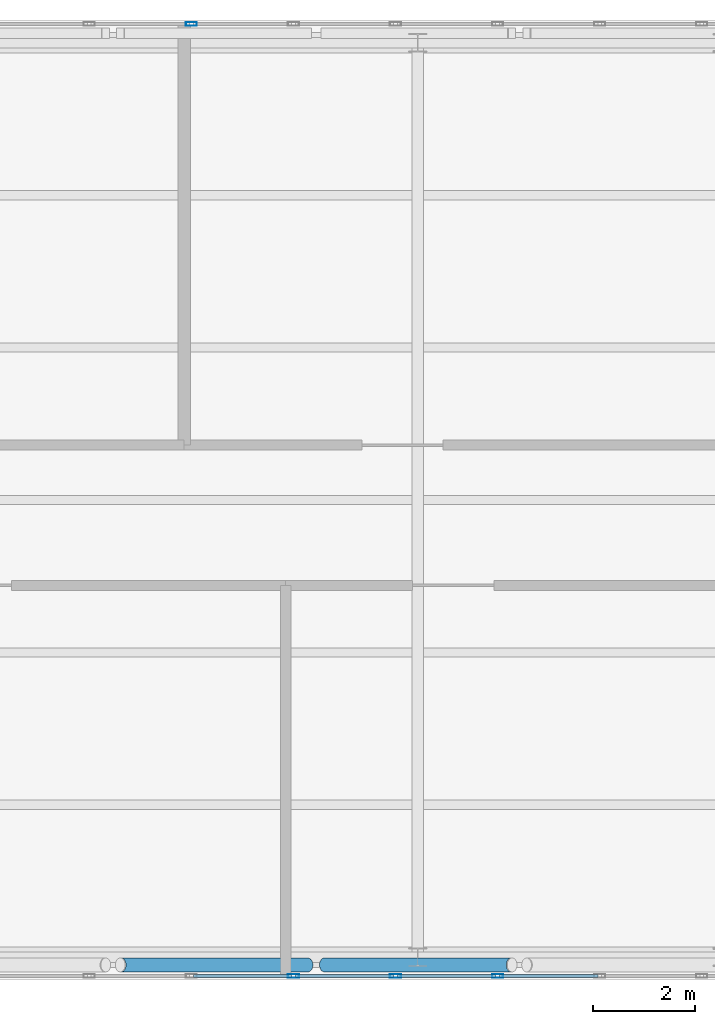
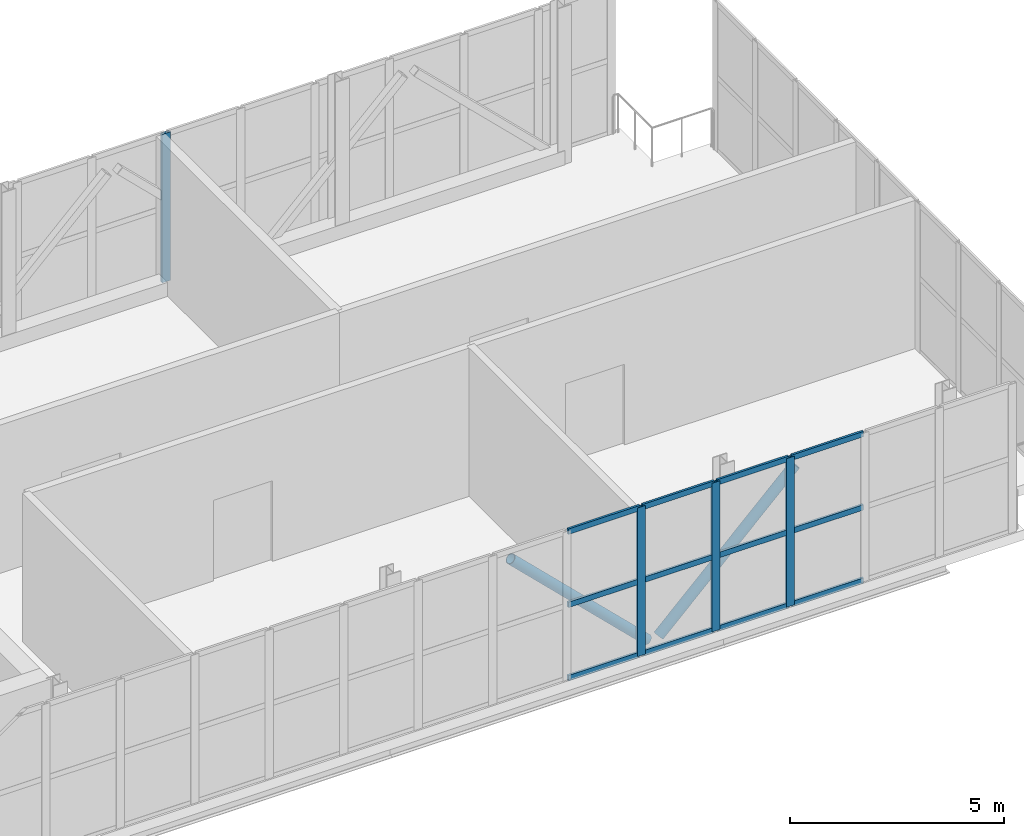
# One storey, part 13 of 21: 18 members, 2 elements without a shape of their own.
"""IFC4 building model written with IfcOpenShell, lengths in metres."""

from ifc_helpers import new_model, si_unit, direction, frame, origin, origin_2d, place, context, subcontext, project, spatial, hollow_rectangle, hollow_circle, extrude, material, layer, layer_set, material_profile, profile_set, type_object, element, aggregate, save


model = new_model("IFC4")

# Units and contexts
model_context = context("Model", 3, precision=1e-05, world=origin(), true_north=direction((0.0, 1.0)))
body_context = subcontext(model_context, "Body", "Model", "MODEL_VIEW")
ifc_project = project(units=[si_unit("LENGTHUNIT", "METRE"), si_unit("AREAUNIT", "SQUARE_METRE"), si_unit("VOLUMEUNIT", "CUBIC_METRE"), si_unit("PLANEANGLEUNIT", "RADIAN"), si_unit("MASSUNIT", "GRAM", prefix="KILO")], contexts=[model_context])

# Site, building, storey
site_placement = place(None, origin())
site = spatial("IfcSite", under=ifc_project, at=site_placement, CompositionType="ELEMENT")
building_placement = place(site_placement, origin())
building = spatial("IfcBuilding", under=site, at=building_placement, Name="Mawjdan Bourse Tower", CompositionType="ELEMENT")
storey_placement = place(building_placement, frame((0.0, 0.0, 317.699951171875)))
storey = spatial("IfcBuildingStorey", under=building, at=storey_placement, Name="L78", CompositionType="ELEMENT", Elevation=317.699951171875)

# Members
ifc_material_1 = material(Name="Structural Steel S355", Category="steel")
ifc_material_profile_1 = material_profile(ifc_material_1, hollow_circle(Radius=0.136474609375, WallThickness=0.012451171875, at=origin_2d()), Name="CHS273X12.5")
ifc_profile_set_1 = profile_set([ifc_material_profile_1], Name="Structural Steel S355")
member_type_1 = type_object("IfcMemberType", Name="BRC-CHS273X12.5", PredefinedType="BRACE", material=ifc_profile_set_1)
for number, where, z_axis, x_axis, name in (
    (1, (36.159912109375, 2.846435546875, 3.7900390625), (0.715813788729, 0.0, -0.698291214227), (0.0, 1.0, 0.0), "L78 Lantern Crown Braced Frame South Diagonal 4"),
    (2, (40.159912109375, 2.846435546875, 0.199951171875), (0.715813788729, 0.0, 0.698291214227), (0.0, 1.0, 0.0), "L78 Lantern Crown Braced Frame South Diagonal 5"),
):
    element("IfcMember", number, at=place(storey_placement, frame(where, z_axis=z_axis, x_axis=x_axis)), inside=storey, type_object=member_type_1, Name=name, PredefinedType="BRACE", context=body_context, shape_type="SweptSolid", body=[
        extrude(hollow_circle(Radius=0.136474609375, WallThickness=0.012451171875, at=origin_2d()), origin(), (0.0, 0.0, 1.0), 5.141357421875),
    ])

# Curtain wall, members
ifc_material_2 = material(Name="Thermally Broken Aluminium and Solar Glass", Category="aluminium")
ifc_layer = layer(ifc_material_2, 0.219970703125)
ifc_layer_set = layer_set([ifc_layer], Name="Thermally Broken Aluminium and Solar Glass")
curtain_wall_type = type_object("IfcCurtainWallType", Name="CW-CRN", PredefinedType="USERDEFINED", material=ifc_layer_set)
curtain_wall_1_placement = place(storey_placement, origin())
curtain_wall_1 = element("IfcCurtainWall", 3, at=curtain_wall_1_placement, inside=storey, type_object=curtain_wall_type, Name="L78 Lantern Crown South Curtain Wall", ObjectType="LANTERN GLAZED CROWN", PredefinedType="USERDEFINED")
ifc_material_3 = material(Name="Thermally Broken Anodised Aluminium", Category="aluminium")
ifc_material_profile_2 = material_profile(ifc_material_3, hollow_rectangle(XDim=0.074951171875, YDim=0.219970703125, WallThickness=0.0048828125, at=origin_2d()), Name="ALU-MUL-220X75")
ifc_profile_set_2 = profile_set([ifc_material_profile_2], Name="Thermally Broken Anodised Aluminium")
member_type_2 = type_object("IfcMemberType", Name="MUL-ALU-MUL-220X75", PredefinedType="MULLION", material=ifc_profile_set_2)
member_1_placement = place(storey_placement, frame((39.552490234375, 2.6298828125, 0.0), z_axis=(0.0, 0.0, 1.0), x_axis=(0.0, 1.0, 0.0)))
member_1 = element("IfcMember", 4, at=member_1_placement, type_object=member_type_2, Name="CW-CRN-L78-CRN-S mullion 17", PredefinedType="MULLION", context=body_context, shape_type="SweptSolid", body=[
    extrude(hollow_rectangle(XDim=0.074951171875, YDim=0.219970703125, WallThickness=0.0048828125, at=origin_2d()), origin(), (0.0, 0.0, 1.0), 4.239990234375),
])
member_2_placement = place(storey_placement, frame((41.56201171875, 2.6298828125, 0.0), z_axis=(0.0, 0.0, 1.0), x_axis=(0.0, 1.0, 0.0)))
member_2 = element("IfcMember", 5, at=member_2_placement, type_object=member_type_2, Name="CW-CRN-L78-CRN-S mullion 18", PredefinedType="MULLION", context=body_context, shape_type="SweptSolid", body=[
    extrude(hollow_rectangle(XDim=0.074951171875, YDim=0.219970703125, WallThickness=0.0048828125, at=origin_2d()), origin(), (0.0, 0.0, 1.0), 4.239990234375),
])
member_3_placement = place(storey_placement, frame((43.571533203125, 2.6298828125, 0.0), z_axis=(0.0, 0.0, 1.0), x_axis=(0.0, 1.0, 0.0)))
member_3 = element("IfcMember", 6, at=member_3_placement, type_object=member_type_2, Name="CW-CRN-L78-CRN-S mullion 19", PredefinedType="MULLION", context=body_context, shape_type="SweptSolid", body=[
    extrude(hollow_rectangle(XDim=0.074951171875, YDim=0.219970703125, WallThickness=0.0048828125, at=origin_2d()), origin(), (0.0, 0.0, 1.0), 4.239990234375),
])

# Curtain wall, member
curtain_wall_2_placement = place(storey_placement, origin())
curtain_wall_2 = element("IfcCurtainWall", 7, at=curtain_wall_2_placement, inside=storey, type_object=curtain_wall_type, Name="L78 Lantern Crown North Curtain Wall", ObjectType="LANTERN GLAZED CROWN", PredefinedType="USERDEFINED")
member_4_placement = place(storey_placement, frame((37.54296875, 21.3701171875, 0.0), z_axis=(0.0, 0.0, 1.0), x_axis=(0.0, -1.0, 0.0)))
member_4 = element("IfcMember", 8, at=member_4_placement, type_object=member_type_2, Name="CW-CRN-L78-CRN-N mullion 7", PredefinedType="MULLION", context=body_context, shape_type="SweptSolid", body=[
    extrude(hollow_rectangle(XDim=0.074951171875, YDim=0.219970703125, WallThickness=0.0048828125, at=origin_2d()), origin(), (0.0, 0.0, 1.0), 4.239990234375),
])
aggregate(curtain_wall_2, [member_4])

# Member
ifc_material_profile_3 = material_profile(ifc_material_3, hollow_rectangle(XDim=0.06005859375, YDim=0.155029296875, WallThickness=0.00390625, at=origin_2d()), Name="ALU-TRN-155X60")
ifc_profile_set_3 = profile_set([ifc_material_profile_3], Name="Thermally Broken Anodised Aluminium")
member_type_3 = type_object("IfcMemberType", Name="TRN-ALU-TRN-155X60", PredefinedType="USERDEFINED", material=ifc_profile_set_3)
member_5_placement = place(storey_placement, frame((37.580322265625, 2.6298828125, 0.030029296875), z_axis=(1.0, 0.0, 0.0), x_axis=(0.0, 1.0, 0.0)))
member_5 = element("IfcMember", 9, at=member_5_placement, type_object=member_type_3, Name="CW-CRN-L78-CRN-S transom 16.1", ObjectType="TRANSOM", PredefinedType="USERDEFINED", context=body_context, shape_type="SweptSolid", body=[
    extrude(hollow_rectangle(XDim=0.06005859375, YDim=0.155029296875, WallThickness=0.00390625, at=origin_2d()), origin(), (0.0, 0.0, 1.0), 1.9345703125),
])

member_6_placement = place(storey_placement, frame((37.580322265625, 2.6298828125, 2.1201171875), z_axis=(1.0, 0.0, 0.0), x_axis=(0.0, 1.0, 0.0)))
member_6 = element("IfcMember", 10, at=member_6_placement, type_object=member_type_3, Name="CW-CRN-L78-CRN-S transom 16.2", ObjectType="TRANSOM", PredefinedType="USERDEFINED", context=body_context, shape_type="SweptSolid", body=[
    extrude(hollow_rectangle(XDim=0.06005859375, YDim=0.155029296875, WallThickness=0.00390625, at=origin_2d()), origin(), (0.0, 0.0, 1.0), 1.9345703125),
])

member_7_placement = place(storey_placement, frame((37.580322265625, 2.6298828125, 4.2099609375), z_axis=(1.0, 0.0, 0.0), x_axis=(0.0, 1.0, 0.0)))
member_7 = element("IfcMember", 11, at=member_7_placement, type_object=member_type_3, Name="CW-CRN-L78-CRN-S transom 16.3", ObjectType="TRANSOM", PredefinedType="USERDEFINED", context=body_context, shape_type="SweptSolid", body=[
    extrude(hollow_rectangle(XDim=0.06005859375, YDim=0.155029296875, WallThickness=0.00390625, at=origin_2d()), origin(), (0.0, 0.0, 1.0), 1.9345703125),
])

member_8_placement = place(storey_placement, frame((39.58984375, 2.6298828125, 0.030029296875), z_axis=(1.0, 0.0, 0.0), x_axis=(0.0, 1.0, 0.0)))
member_8 = element("IfcMember", 12, at=member_8_placement, type_object=member_type_3, Name="CW-CRN-L78-CRN-S transom 17.1", ObjectType="TRANSOM", PredefinedType="USERDEFINED", context=body_context, shape_type="SweptSolid", body=[
    extrude(hollow_rectangle(XDim=0.06005859375, YDim=0.155029296875, WallThickness=0.00390625, at=origin_2d()), origin(), (0.0, 0.0, 1.0), 1.9345703125),
])

member_9_placement = place(storey_placement, frame((39.58984375, 2.6298828125, 2.1201171875), z_axis=(1.0, 0.0, 0.0), x_axis=(0.0, 1.0, 0.0)))
member_9 = element("IfcMember", 13, at=member_9_placement, type_object=member_type_3, Name="CW-CRN-L78-CRN-S transom 17.2", ObjectType="TRANSOM", PredefinedType="USERDEFINED", context=body_context, shape_type="SweptSolid", body=[
    extrude(hollow_rectangle(XDim=0.06005859375, YDim=0.155029296875, WallThickness=0.00390625, at=origin_2d()), origin(), (0.0, 0.0, 1.0), 1.9345703125),
])

member_10_placement = place(storey_placement, frame((39.58984375, 2.6298828125, 4.2099609375), z_axis=(1.0, 0.0, 0.0), x_axis=(0.0, 1.0, 0.0)))
member_10 = element("IfcMember", 14, at=member_10_placement, type_object=member_type_3, Name="CW-CRN-L78-CRN-S transom 17.3", ObjectType="TRANSOM", PredefinedType="USERDEFINED", context=body_context, shape_type="SweptSolid", body=[
    extrude(hollow_rectangle(XDim=0.06005859375, YDim=0.155029296875, WallThickness=0.00390625, at=origin_2d()), origin(), (0.0, 0.0, 1.0), 1.9345703125),
])

member_11_placement = place(storey_placement, frame((41.599365234375, 2.6298828125, 0.030029296875), z_axis=(1.0, 0.0, 0.0), x_axis=(0.0, 1.0, 0.0)))
member_11 = element("IfcMember", 15, at=member_11_placement, type_object=member_type_3, Name="CW-CRN-L78-CRN-S transom 18.1", ObjectType="TRANSOM", PredefinedType="USERDEFINED", context=body_context, shape_type="SweptSolid", body=[
    extrude(hollow_rectangle(XDim=0.06005859375, YDim=0.155029296875, WallThickness=0.00390625, at=origin_2d()), origin(), (0.0, 0.0, 1.0), 1.9345703125),
])

member_12_placement = place(storey_placement, frame((41.599365234375, 2.6298828125, 2.1201171875), z_axis=(1.0, 0.0, 0.0), x_axis=(0.0, 1.0, 0.0)))
member_12 = element("IfcMember", 16, at=member_12_placement, type_object=member_type_3, Name="CW-CRN-L78-CRN-S transom 18.2", ObjectType="TRANSOM", PredefinedType="USERDEFINED", context=body_context, shape_type="SweptSolid", body=[
    extrude(hollow_rectangle(XDim=0.06005859375, YDim=0.155029296875, WallThickness=0.00390625, at=origin_2d()), origin(), (0.0, 0.0, 1.0), 1.9345703125),
])

member_13_placement = place(storey_placement, frame((41.599365234375, 2.6298828125, 4.2099609375), z_axis=(1.0, 0.0, 0.0), x_axis=(0.0, 1.0, 0.0)))
member_13 = element("IfcMember", 17, at=member_13_placement, type_object=member_type_3, Name="CW-CRN-L78-CRN-S transom 18.3", ObjectType="TRANSOM", PredefinedType="USERDEFINED", context=body_context, shape_type="SweptSolid", body=[
    extrude(hollow_rectangle(XDim=0.06005859375, YDim=0.155029296875, WallThickness=0.00390625, at=origin_2d()), origin(), (0.0, 0.0, 1.0), 1.9345703125),
])

member_14_placement = place(storey_placement, frame((43.60888671875, 2.6298828125, 0.030029296875), z_axis=(1.0, 0.0, 0.0), x_axis=(0.0, 1.0, 0.0)))
member_14 = element("IfcMember", 18, at=member_14_placement, type_object=member_type_3, Name="CW-CRN-L78-CRN-S transom 19.1", ObjectType="TRANSOM", PredefinedType="USERDEFINED", context=body_context, shape_type="SweptSolid", body=[
    extrude(hollow_rectangle(XDim=0.06005859375, YDim=0.155029296875, WallThickness=0.00390625, at=origin_2d()), origin(), (0.0, 0.0, 1.0), 1.9345703125),
])

member_15_placement = place(storey_placement, frame((43.60888671875, 2.6298828125, 2.1201171875), z_axis=(1.0, 0.0, 0.0), x_axis=(0.0, 1.0, 0.0)))
member_15 = element("IfcMember", 19, at=member_15_placement, type_object=member_type_3, Name="CW-CRN-L78-CRN-S transom 19.2", ObjectType="TRANSOM", PredefinedType="USERDEFINED", context=body_context, shape_type="SweptSolid", body=[
    extrude(hollow_rectangle(XDim=0.06005859375, YDim=0.155029296875, WallThickness=0.00390625, at=origin_2d()), origin(), (0.0, 0.0, 1.0), 1.9345703125),
])

member_16_placement = place(storey_placement, frame((43.60888671875, 2.6298828125, 4.2099609375), z_axis=(1.0, 0.0, 0.0), x_axis=(0.0, 1.0, 0.0)))
member_16 = element("IfcMember", 20, at=member_16_placement, type_object=member_type_3, Name="CW-CRN-L78-CRN-S transom 19.3", ObjectType="TRANSOM", PredefinedType="USERDEFINED", context=body_context, shape_type="SweptSolid", body=[
    extrude(hollow_rectangle(XDim=0.06005859375, YDim=0.155029296875, WallThickness=0.00390625, at=origin_2d()), origin(), (0.0, 0.0, 1.0), 1.9345703125),
])

aggregate(curtain_wall_1, [member_1, member_2, member_3, member_5, member_6, member_7, member_8, member_9, member_10, member_11, member_12, member_13, member_14, member_15, member_16])

save(model, "model.ifc")
